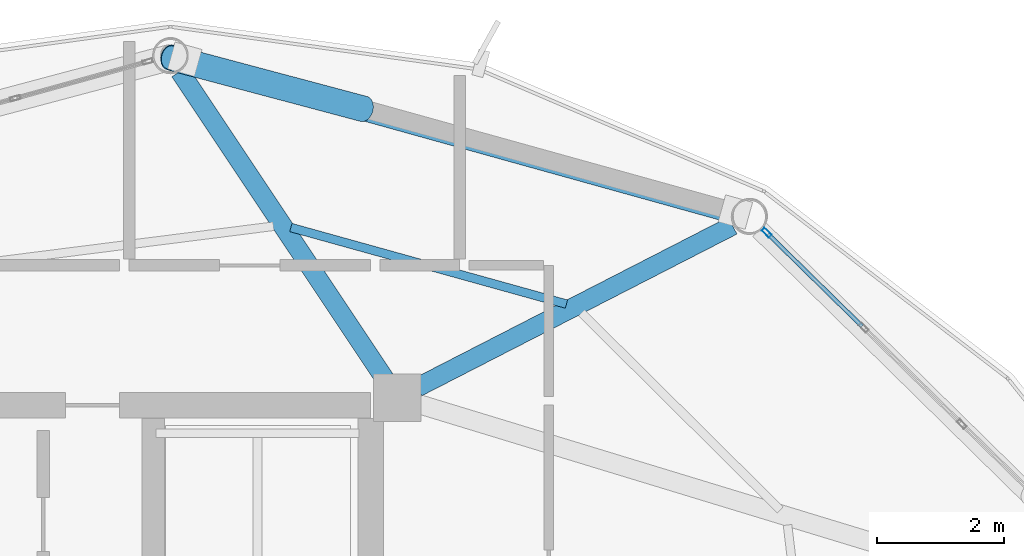
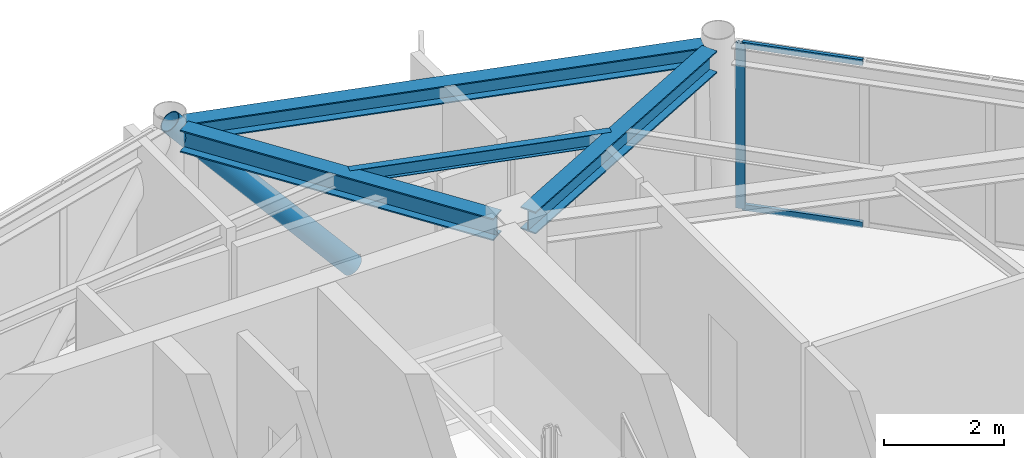
# One storey, part 19 of 26: 4 beams, 4 members, 1 element without a shape of its own.
"""IFC4 building model written with IfcOpenShell, lengths in metres."""

from ifc_helpers import new_model, si_unit, direction, frame, origin, origin_2d, place, context, subcontext, project, spatial, hollow_rectangle, hollow_circle, i_section, extrude, material, layer, layer_set, material_profile, profile_set, type_object, element, aggregate, save


model = new_model("IFC4")

# Units and contexts
model_context = context("Model", 3, precision=1e-05, world=origin(), true_north=direction((0.0, 1.0)))
body_context = subcontext(model_context, "Body", "Model", "MODEL_VIEW")
ifc_project = project(units=[si_unit("LENGTHUNIT", "METRE"), si_unit("AREAUNIT", "SQUARE_METRE"), si_unit("VOLUMEUNIT", "CUBIC_METRE"), si_unit("PLANEANGLEUNIT", "RADIAN"), si_unit("MASSUNIT", "GRAM", prefix="KILO")], contexts=[model_context])

# Site, building, storey
site_placement = place(None, origin())
site = spatial("IfcSite", under=ifc_project, at=site_placement, CompositionType="ELEMENT")
building_placement = place(site_placement, origin())
building = spatial("IfcBuilding", under=site, at=building_placement, Name="Varnakorn Sky Granary", CompositionType="ELEMENT")
storey_placement = place(building_placement, frame((0.0, 0.0, 256.199951171875)))
storey = spatial("IfcBuildingStorey", under=building, at=storey_placement, Name="L65", CompositionType="ELEMENT", Elevation=256.199951171875)

# Beams
ifc_material_1 = material(Name="Steel S355JR", Category="steel")
ifc_material_profile_1 = material_profile(ifc_material_1, i_section(OverallWidth=0.300048828125, OverallDepth=0.449951171875, WebThickness=0.013916015625, FlangeThickness=0.02587890625, at=origin_2d()), Name="HE 450 B")
ifc_profile_set_1 = profile_set([ifc_material_profile_1], Name="Steel S355JR")
beam_type_1 = type_object("IfcBeamType", Name="BM-RAD-Z5", PredefinedType="BEAM", material=ifc_profile_set_1)
beam_1_placement = place(storey_placement, frame((8.73583984375, 12.781982421875, 3.135009765625), z_axis=(0.889707494911, 0.456531021398, 0.0), x_axis=(-0.456531021398, 0.889707494911, 0.0)))
element("IfcBeam", 1, at=beam_1_placement, inside=storey, type_object=beam_type_1, Name="Radial Floor Girder RG03 L65", PredefinedType="BEAM", context=body_context, shape_type="SweptSolid", body=[
    extrude(i_section(OverallWidth=0.300048828125, OverallDepth=0.449951171875, WebThickness=0.013916015625, FlangeThickness=0.02587890625, at=origin_2d()), origin(), (0.0, 0.0, 1.0), 5.57177734375),
])
beam_2_placement = place(storey_placement, frame((8.222900390625, 12.915283203125, 3.135009765625), z_axis=(-0.55497154329, 0.83186933237, 0.0), x_axis=(-0.83186933237, -0.55497154329, 0.0)))
element("IfcBeam", 2, at=beam_2_placement, inside=storey, type_object=beam_type_1, Name="Radial Floor Girder RG04 L65", PredefinedType="BEAM", context=body_context, shape_type="SweptSolid", body=[
    extrude(i_section(OverallWidth=0.300048828125, OverallDepth=0.449951171875, WebThickness=0.013916015625, FlangeThickness=0.02587890625, at=origin_2d()), origin(), (0.0, 0.0, 1.0), 5.81298828125),
])
ifc_material_profile_2 = material_profile(ifc_material_1, i_section(OverallWidth=0.135009765625, OverallDepth=0.27001953125, WebThickness=0.006591796875, FlangeThickness=0.01025390625, at=origin_2d()), Name="IPE 270")
ifc_profile_set_2 = profile_set([ifc_material_profile_2], Name="Steel S355JR")
beam_type_2 = type_object("IfcBeamType", Name="BM-SEC-Z5", PredefinedType="BEAM", material=ifc_profile_set_2)
beam_3_placement = place(storey_placement, frame((11.07958984375, 14.09130859375, 3.22509765625), z_axis=(-0.963503136457, 0.267697041517, 0.0), x_axis=(-0.267697041517, -0.963503136457, 0.0)))
element("IfcBeam", 3, at=beam_3_placement, inside=storey, type_object=beam_type_2, Name="Secondary Floor Chord Beam MSB03 L65", PredefinedType="BEAM", context=body_context, shape_type="SweptSolid", body=[
    extrude(i_section(OverallWidth=0.135009765625, OverallDepth=0.27001953125, WebThickness=0.006591796875, FlangeThickness=0.01025390625, at=origin_2d()), origin(), (0.0, 0.0, 1.0), 4.4990234375),
])
ifc_material_profile_3 = material_profile(ifc_material_1, i_section(OverallWidth=0.300048828125, OverallDepth=0.360107421875, WebThickness=0.012451171875, FlangeThickness=0.0224609375, at=origin_2d()), Name="HE 360 B")
ifc_profile_set_3 = profile_set([ifc_material_profile_3], Name="Steel S355JR")
beam_type_3 = type_object("IfcBeamType", Name="BM-SPD-Z5", PredefinedType="SPANDREL", material=ifc_profile_set_3)
beam_4_placement = place(storey_placement, frame((13.673583984375, 15.517333984375, 3.179931640625), z_axis=(-0.963443151214, 0.267912848477, 0.0), x_axis=(-0.267912848477, -0.963443151214, 0.0)))
element("IfcBeam", 4, at=beam_4_placement, inside=storey, type_object=beam_type_3, Name="Perimeter Spandrel Ring Beam RB03 L65", PredefinedType="SPANDREL", context=body_context, shape_type="SweptSolid", body=[
    extrude(i_section(OverallWidth=0.300048828125, OverallDepth=0.360107421875, WebThickness=0.012451171875, FlangeThickness=0.0224609375, at=origin_2d()), origin(), (0.0, 0.0, 1.0), 8.89404296875),
])

# Curtain wall, members
ifc_material_2 = material(Name="Anodised Bronze Aluminium Alloy 6063-T6", Category="aluminium")
ifc_layer = layer(ifc_material_2, 0.159912109375, Name="Anodised Bronze Aluminium Alloy 6063-T6")
ifc_layer_set = layer_set([ifc_layer], Name="Anodised Bronze Aluminium Alloy 6063-T6")
curtain_wall_type = type_object("IfcCurtainWallType", Name="CW-OFF-1", PredefinedType="USERDEFINED", material=ifc_layer_set)
curtain_wall_placement = place(storey_placement, origin())
curtain_wall = element("IfcCurtainWall", 5, at=curtain_wall_placement, inside=storey, type_object=curtain_wall_type, Name="Unitised Curtain Wall CW6 CW-L65-B02", ObjectType="CURTAIN WALL", PredefinedType="USERDEFINED")
ifc_material_profile_4 = material_profile(ifc_material_2, hollow_rectangle(XDim=0.06494140625, YDim=0.159912109375, WallThickness=0.00341796875, at=origin_2d()), Name="ALU MULL 65x160")
ifc_profile_set_4 = profile_set([ifc_material_profile_4], Name="Anodised Bronze Aluminium Alloy 6063-T6")
member_type_1 = type_object("IfcMemberType", Name="CW-OFF-1-MULL", PredefinedType="MULLION", material=ifc_profile_set_4)
member_1_placement = place(storey_placement, frame((14.22802734375, 15.21533203125, 0.0), z_axis=(0.0, 0.0, 1.0), x_axis=(0.700118147913, 0.71402701557, 0.0)))
member_1 = element("IfcMember", 6, at=member_1_placement, type_object=member_type_1, Name="CW6 mullion 1", PredefinedType="MULLION", context=body_context, shape_type="SweptSolid", body=[
    extrude(hollow_rectangle(XDim=0.06494140625, YDim=0.159912109375, WallThickness=0.00341796875, at=origin_2d()), origin(), (0.0, 0.0, 1.0), 3.360107421875),
])
ifc_material_profile_5 = material_profile(ifc_material_2, hollow_rectangle(XDim=0.06494140625, YDim=0.1201171875, WallThickness=0.00341796875, at=origin_2d()), Name="ALU TRAN 65x120")
ifc_profile_set_5 = profile_set([ifc_material_profile_5], Name="Anodised Bronze Aluminium Alloy 6063-T6")
member_type_2 = type_object("IfcMemberType", Name="CW-OFF-1-TRAN", PredefinedType="USERDEFINED", material=ifc_profile_set_5)
member_2_placement = place(storey_placement, frame((14.251220703125, 15.192626953125, 0.032470703125), z_axis=(0.714094820873, -0.700048988859, 0.0), x_axis=(0.700048988859, 0.714094820873, 0.0)))
member_2 = element("IfcMember", 7, at=member_2_placement, type_object=member_type_2, Name="CW6 transom 1.1", ObjectType="TRANSOM", PredefinedType="USERDEFINED", context=body_context, shape_type="SweptSolid", body=[
    extrude(hollow_rectangle(XDim=0.06494140625, YDim=0.1201171875, WallThickness=0.00341796875, at=origin_2d()), origin(), (0.0, 0.0, 1.0), 2.068359375),
])
member_3_placement = place(storey_placement, frame((14.251220703125, 15.192626953125, 3.32763671875), z_axis=(0.714094820873, -0.700048988859, 0.0), x_axis=(0.700048988859, 0.714094820873, 0.0)))
member_3 = element("IfcMember", 8, at=member_3_placement, type_object=member_type_2, Name="CW6 transom 1.2", ObjectType="TRANSOM", PredefinedType="USERDEFINED", context=body_context, shape_type="SweptSolid", body=[
    extrude(hollow_rectangle(XDim=0.06494140625, YDim=0.1201171875, WallThickness=0.00341796875, at=origin_2d()), origin(), (0.0, 0.0, 1.0), 2.068359375),
])
aggregate(curtain_wall, [member_1, member_2, member_3])

# Member
ifc_material_3 = material(Name="Steel S460M", Category="steel")
ifc_material_profile_6 = material_profile(ifc_material_3, hollow_circle(Radius=0.203125, WallThickness=0.01611328125, at=origin_2d()), Name="CHS 406.4x16")
ifc_profile_set_6 = profile_set([ifc_material_profile_6], Name="Steel S460M")
member_type_3 = type_object("IfcMemberType", Name="MB-DIAG-T4", PredefinedType="BRACE", material=ifc_profile_set_6)
member_4_placement = place(storey_placement, frame((7.887451171875, 17.162109375, -0.1298828125), z_axis=(-0.646688118979, 0.172211055235, 0.743059775002), x_axis=(-0.257329062346, -0.966323834784, 0.0)))
element("IfcMember", 9, at=member_4_placement, inside=storey, type_object=member_type_3, Name="Perimeter CHS Diagrid Brace DG03 L65", PredefinedType="BRACE", context=body_context, shape_type="SweptSolid", body=[
    extrude(hollow_circle(Radius=0.203125, WallThickness=0.01611328125, at=origin_2d()), origin(), (0.0, 0.0, 1.0), 4.69677734375),
])

save(model, "model.ifc")
